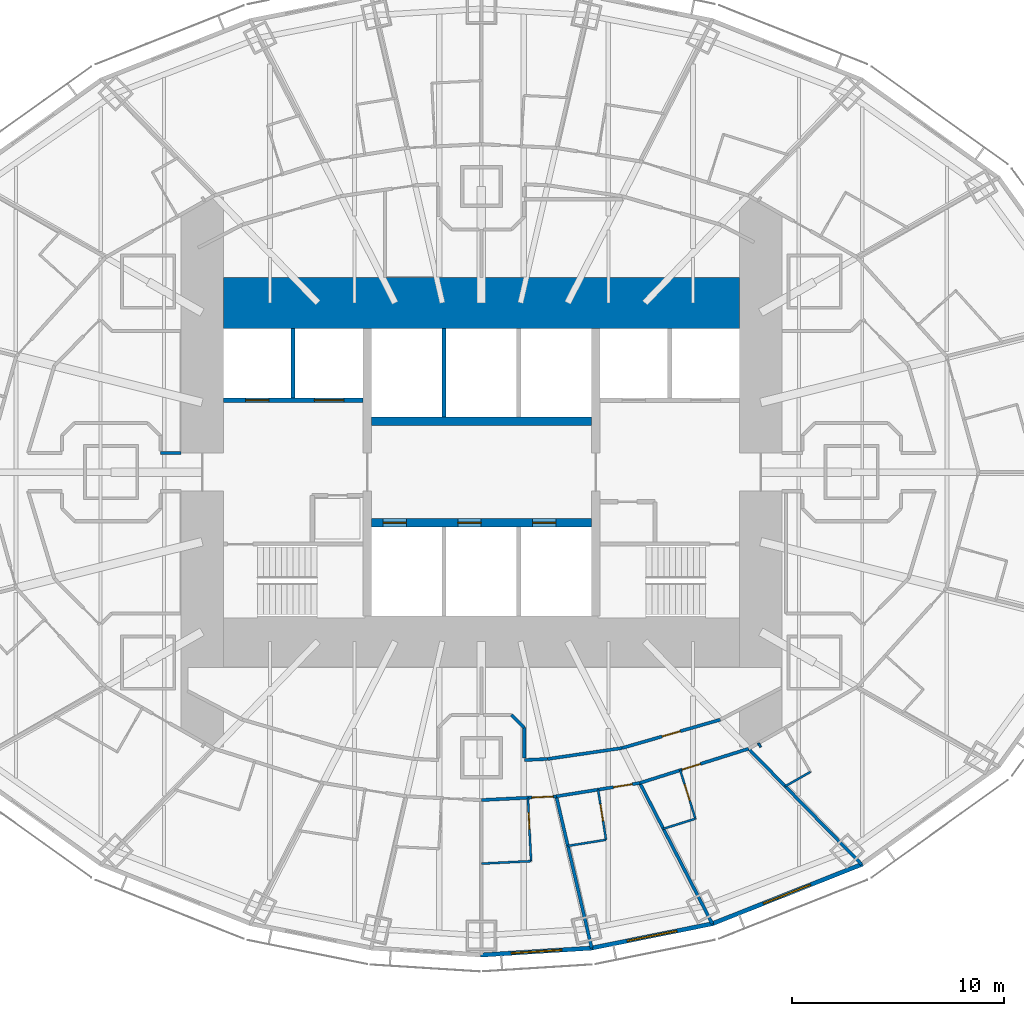
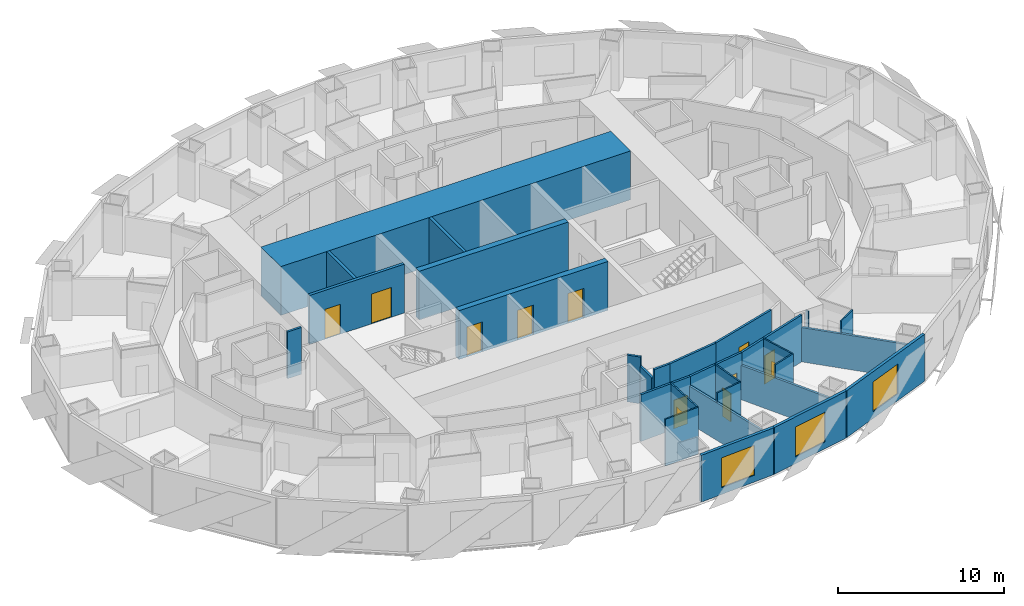
# One storey, part 7 of 17: 29 walls, 12 doors, 3 windows, 15 openings.
"""IFC4 building model written with IfcOpenShell, lengths in metres."""

from ifc_helpers import new_model, si_unit, direction, frame, frame_2d, origin, place, context, subcontext, project, spatial, rectangle, extrude, material, layer, layer_set, type_object, element, fill, save


model = new_model("IFC4")

# Units and contexts
model_context = context("Model", 3, precision=1e-05, world=origin(), true_north=direction((0.0, 1.0)))
body_context = subcontext(model_context, "Body", "Model", "MODEL_VIEW")
ifc_project = project(units=[si_unit("LENGTHUNIT", "METRE"), si_unit("AREAUNIT", "SQUARE_METRE"), si_unit("VOLUMEUNIT", "CUBIC_METRE"), si_unit("PLANEANGLEUNIT", "RADIAN"), si_unit("MASSUNIT", "GRAM", prefix="KILO")], contexts=[model_context])

# Site, building, storey
site_placement = place(None, origin())
site = spatial("IfcSite", under=ifc_project, at=site_placement, CompositionType="ELEMENT")
building_placement = place(site_placement, origin())
building = spatial("IfcBuilding", under=site, at=building_placement, Name="Lantaw Convention Tower", CompositionType="ELEMENT")
storey_placement = place(building_placement, frame((0.0, 0.0, 40.60009765625)))
storey = spatial("IfcBuildingStorey", under=building, at=storey_placement, Name="L07", CompositionType="ELEMENT", Elevation=40.60009765625)

# Walls
ifc_material_1 = material(Name="Gypsum board on steel studs", Category="steel")
ifc_layer_1 = layer(ifc_material_1, 0.14990234375)
ifc_layer_set_1 = layer_set([ifc_layer_1], Name="Back of house wall 150")
wall_type_1 = type_object("IfcWallType", Name="Back of house wall 150", PredefinedType="PARTITIONING", material=ifc_layer_set_1)
wall_1_placement = place(storey_placement, frame((1.424560546875, -11.47509765625, 0.0), z_axis=(0.0, 0.0, 1.0), x_axis=(0.707106781187, -0.707106781187, 0.0)))
element("IfcWall", 1, at=wall_1_placement, inside=storey, type_object=wall_type_1, Name="Back of house wall 150", PredefinedType="PARTITIONING", context=body_context, shape_type="SweptSolid", body=[
    extrude(rectangle(XDim=0.84912109375, YDim=0.14990234375, at=frame_2d((0.424560546875, 0.0))), origin(), (0.0, 0.0, 1.0), 3.449951171875),
])
wall_2_placement = place(storey_placement, frame((2.02490234375, -12.075439453125, 0.0), z_axis=(0.0, 0.0, 1.0), x_axis=(0.0, -1.0, 0.0)))
element("IfcWall", 2, at=wall_2_placement, inside=storey, type_object=wall_type_1, Name="Back of house wall 150", PredefinedType="PARTITIONING", context=body_context, shape_type="SweptSolid", body=[
    extrude(rectangle(XDim=1.42724609375, YDim=0.14990234375, at=frame_2d((0.713623046875, 0.0))), origin(), (0.0, 0.0, 1.0), 2.748779296875),
])

# Wall, opening, door
ifc_material_2 = material(Name="Moisture resistant gypsum board on steel studs", Category="steel")
ifc_layer_2 = layer(ifc_material_2, 0.10009765625)
ifc_layer_set_2 = layer_set([ifc_layer_2], Name="Bathroom wall 100")
wall_type_2 = type_object("IfcWallType", Name="Bathroom wall 100", PredefinedType="PARTITIONING", material=ifc_layer_set_2)
wall_3_placement = place(storey_placement, frame((2.197265625, -15.390380859375, 0.0), z_axis=(0.0, 0.0, 1.0), x_axis=(0.049888907753, -0.998754773147, 0.0)))
wall_3 = element("IfcWall", 3, at=wall_3_placement, inside=storey, type_object=wall_type_2, Name="Bathroom wall 100", PredefinedType="PARTITIONING", context=body_context, shape_type="SweptSolid", body=[
    extrude(rectangle(XDim=2.999755859375, YDim=0.10009765625, at=frame_2d((1.5, 0.0))), origin(), (0.0, 0.0, 1.0), 3.449951171875),
])
opening_1_placement = place(wall_3_placement, frame((0.699951171875, 0.0, 0.0)))
opening_1 = element("IfcOpeningElement", 4, at=opening_1_placement, cuts=wall_3, Name="Opening L07.60", PredefinedType="OPENING", context=body_context, shape_type="SweptSolid", body=[
    extrude(rectangle(XDim=0.800048828125, YDim=2.10009765625, at=frame_2d((0.39990234375, 1.050048828125))), frame((0.0, 0.06005859375, 0.0), z_axis=(0.0, -1.0, 0.0), x_axis=(1.0, 0.0, 0.0)), (0.0, 0.0, 1.0), 0.1201171875),
])
ifc_material_3 = material(Name="Timber", Category="wood")
door_type_1 = type_object("IfcDoorType", Name="Bathroom door 800", OperationType="SINGLE_SWING_LEFT", PredefinedType="DOOR", material=ifc_material_3)
door_1_placement = place(opening_1_placement, origin())
door_1 = element("IfcDoor", 5, at=door_1_placement, inside=storey, type_object=door_type_1, Name="Bathroom door", OperationType="SINGLE_SWING_LEFT", OverallHeight=2.10009765625, OverallWidth=0.800048828125, PredefinedType="DOOR", context=body_context, shape_type="SweptSolid", body=[
    extrude(rectangle(XDim=0.800048828125, YDim=2.10009765625, at=frame_2d((0.39990234375, 1.050048828125))), frame((0.0, 0.02490234375, 0.0), z_axis=(0.0, -1.0, 0.0), x_axis=(1.0, 0.0, 0.0)), (0.0, 0.0, 1.0), 0.050048828125),
])
fill(opening_1, door_1)

# Wall
wall_4_placement = place(storey_placement, frame((2.346923828125, -18.386474609375, 0.0), z_axis=(0.0, 0.0, 1.0), x_axis=(-0.998755704817, -0.049870252607, 0.0)))
element("IfcWall", 6, at=wall_4_placement, inside=storey, type_object=wall_type_2, Name="Bathroom wall 100", PredefinedType="PARTITIONING", context=body_context, shape_type="SweptSolid", body=[
    extrude(rectangle(XDim=2.349853515625, YDim=0.10009765625, at=frame_2d((1.1748046875, 0.0))), origin(), (0.0, 0.0, 1.0), 3.449951171875),
])

# Wall, opening, door
wall_5_placement = place(storey_placement, frame((5.5126953125, -15.0078125, 0.0), z_axis=(0.0, 0.0, 1.0), x_axis=(0.157780217218, -0.987474254376, 0.0)))
wall_5 = element("IfcWall", 7, at=wall_5_placement, inside=storey, type_object=wall_type_2, Name="Bathroom wall 100", PredefinedType="PARTITIONING", context=body_context, shape_type="SweptSolid", body=[
    extrude(rectangle(XDim=2.39990234375, YDim=0.10009765625, at=frame_2d((1.199951171875, 0.0))), origin(), (0.0, 0.0, 1.0), 3.449951171875),
])
opening_2_placement = place(wall_5_placement, frame((0.699951171875, 0.0, 0.0)))
opening_2 = element("IfcOpeningElement", 8, at=opening_2_placement, cuts=wall_5, Name="Opening L07.62", PredefinedType="OPENING", context=body_context, shape_type="SweptSolid", body=[
    extrude(rectangle(XDim=0.800048828125, YDim=2.10009765625, at=frame_2d((0.39990234375, 1.050048828125))), frame((0.0, 0.06005859375, 0.0), z_axis=(0.0, -1.0, 0.0), x_axis=(1.0, 0.0, 0.0)), (0.0, 0.0, 1.0), 0.1201171875),
])
door_2_placement = place(opening_2_placement, origin())
door_2 = element("IfcDoor", 9, at=door_2_placement, inside=storey, type_object=door_type_1, Name="Bathroom door", OperationType="SINGLE_SWING_LEFT", OverallHeight=2.10009765625, OverallWidth=0.800048828125, PredefinedType="DOOR", context=body_context, shape_type="SweptSolid", body=[
    extrude(rectangle(XDim=0.800048828125, YDim=2.10009765625, at=frame_2d((0.39990234375, 1.050048828125))), frame((0.0, 0.02490234375, 0.0), z_axis=(0.0, -1.0, 0.0), x_axis=(1.0, 0.0, 0.0)), (0.0, 0.0, 1.0), 0.050048828125),
])
fill(opening_2, door_2)

# Wall
wall_6_placement = place(storey_placement, frame((5.891357421875, -17.377685546875, 0.0), z_axis=(0.0, 0.0, 1.0), x_axis=(-0.987478784284, -0.157751863976, 0.0)))
element("IfcWall", 10, at=wall_6_placement, inside=storey, type_object=wall_type_2, Name="Bathroom wall 100", PredefinedType="PARTITIONING", context=body_context, shape_type="SweptSolid", body=[
    extrude(rectangle(XDim=1.83544921875, YDim=0.10009765625, at=frame_2d((0.917724609375, 0.0))), origin(), (0.0, 0.0, 1.0), 3.449951171875),
])

# Wall, opening, door
wall_7_placement = place(storey_placement, frame((9.393798828125, -14.09130859375, 0.0), z_axis=(0.0, 0.0, 1.0), x_axis=(0.30049839721, -0.953782319649, 0.0)))
wall_7 = element("IfcWall", 11, at=wall_7_placement, inside=storey, type_object=wall_type_2, Name="Bathroom wall 100", PredefinedType="PARTITIONING", context=body_context, shape_type="SweptSolid", body=[
    extrude(rectangle(XDim=2.39990234375, YDim=0.10009765625, at=frame_2d((1.199951171875, 0.0))), origin(), (0.0, 0.0, 1.0), 3.449951171875),
])
opening_3_placement = place(wall_7_placement, frame((0.699951171875, 0.0, 0.0)))
opening_3 = element("IfcOpeningElement", 12, at=opening_3_placement, cuts=wall_7, Name="Opening L07.64", PredefinedType="OPENING", context=body_context, shape_type="SweptSolid", body=[
    extrude(rectangle(XDim=0.800048828125, YDim=2.10009765625, at=frame_2d((0.39990234375, 1.050048828125))), frame((0.0, 0.06005859375, 0.0), z_axis=(0.0, -1.0, 0.0), x_axis=(1.0, 0.0, 0.0)), (0.0, 0.0, 1.0), 0.1201171875),
])
door_3_placement = place(opening_3_placement, origin())
door_3 = element("IfcDoor", 13, at=door_3_placement, inside=storey, type_object=door_type_1, Name="Bathroom door", OperationType="SINGLE_SWING_LEFT", OverallHeight=2.10009765625, OverallWidth=0.800048828125, PredefinedType="DOOR", context=body_context, shape_type="SweptSolid", body=[
    extrude(rectangle(XDim=0.800048828125, YDim=2.10009765625, at=frame_2d((0.39990234375, 1.050048828125))), frame((0.0, 0.02490234375, 0.0), z_axis=(0.0, -1.0, 0.0), x_axis=(1.0, 0.0, 0.0)), (0.0, 0.0, 1.0), 0.050048828125),
])
fill(opening_3, door_3)

# Walls
wall_8_placement = place(storey_placement, frame((10.114990234375, -16.38037109375, 0.0), z_axis=(0.0, 0.0, 1.0), x_axis=(-0.953764923986, -0.300553605492, 0.0)))
element("IfcWall", 14, at=wall_8_placement, inside=storey, type_object=wall_type_2, Name="Bathroom wall 100", PredefinedType="PARTITIONING", context=body_context, shape_type="SweptSolid", body=[
    extrude(rectangle(XDim=1.597900390625, YDim=0.10009765625, at=frame_2d((0.798828125, 0.0))), origin(), (0.0, 0.0, 1.0), 3.449951171875),
])
wall_9_placement = place(storey_placement, frame((15.550048828125, -14.169677734375, 0.0), z_axis=(0.0, 0.0, 1.0), x_axis=(-0.869065896633, -0.494696338485, 0.0)))
element("IfcWall", 15, at=wall_9_placement, inside=storey, type_object=wall_type_2, Name="Bathroom wall 100", PredefinedType="PARTITIONING", context=body_context, shape_type="SweptSolid", body=[
    extrude(rectangle(XDim=1.3857421875, YDim=0.10009765625, at=frame_2d((0.69287109375, 0.0))), origin(), (0.0, 0.0, 1.0), 3.449951171875),
])
ifc_material_4 = material(Name="Concrete C60/75", Category="concrete")
ifc_layer_3 = layer(ifc_material_4, 2.39990234375)
ifc_layer_set_3 = layer_set([ifc_layer_3], Name="Core wall 2400")
wall_type_3 = type_object("IfcWallType", Name="Core wall 2400", PredefinedType="SHEAR", material=ifc_layer_set_3)
wall_10_placement = place(storey_placement, frame((12.199951171875, 8.0, 0.0), z_axis=(0.0, 0.0, 1.0), x_axis=(-1.0, 0.0, 0.0)))
element("IfcWall", 16, at=wall_10_placement, inside=storey, type_object=wall_type_3, Name="Core wall N", PredefinedType="SHEAR", context=body_context, shape_type="SweptSolid", body=[
    extrude(rectangle(XDim=24.39990234375, YDim=2.39990234375, at=frame_2d((12.199951171875, 0.0))), origin(), (0.0, 0.0, 1.0), 3.599853515625),
])

# Wall, openings, doors
ifc_layer_4 = layer(ifc_material_4, 0.39990234375)
ifc_layer_set_4 = layer_set([ifc_layer_4], Name="Core wall 400")
wall_type_4 = type_object("IfcWallType", Name="Core wall 400", PredefinedType="SHEAR", material=ifc_layer_set_4)
wall_11_placement = place(storey_placement, frame((-5.199951171875, -2.39990234375, 0.0), z_axis=(0.0, 0.0, 1.0), x_axis=(1.0, 0.0, 0.0)))
wall_11 = element("IfcWall", 17, at=wall_11_placement, inside=storey, type_object=wall_type_4, Name="Core wall BS", PredefinedType="SHEAR", context=body_context, shape_type="SweptSolid", body=[
    extrude(rectangle(XDim=10.39990234375, YDim=0.39990234375, at=frame_2d((5.199951171875, 0.0))), origin(), (0.0, 0.0, 1.0), 3.599853515625),
])
opening_4_placement = place(wall_11_placement, frame((0.550048828125, 0.0, 0.0)))
opening_4 = element("IfcOpeningElement", 18, at=opening_4_placement, cuts=wall_11, Name="Opening L07.09", PredefinedType="OPENING", context=body_context, shape_type="SweptSolid", body=[
    extrude(rectangle(XDim=1.10009765625, YDim=2.199951171875, at=frame_2d((0.550048828125, 1.10009765625))), frame((0.0, 0.2099609375, 0.0), z_axis=(0.0, -1.0, 0.0), x_axis=(1.0, 0.0, 0.0)), (0.0, 0.0, 1.0), 0.419921875),
])
opening_5_placement = place(wall_11_placement, frame((4.083251953125, 0.0, 0.0)))
opening_5 = element("IfcOpeningElement", 19, at=opening_5_placement, cuts=wall_11, Name="Opening L07.10", PredefinedType="OPENING", context=body_context, shape_type="SweptSolid", body=[
    extrude(rectangle(XDim=1.10009765625, YDim=2.199951171875, at=frame_2d((0.550048828125, 1.10009765625))), frame((0.0, 0.2099609375, 0.0), z_axis=(0.0, -1.0, 0.0), x_axis=(1.0, 0.0, 0.0)), (0.0, 0.0, 1.0), 0.419921875),
])
opening_6_placement = place(wall_11_placement, frame((7.61669921875, 0.0, 0.0)))
opening_6 = element("IfcOpeningElement", 20, at=opening_6_placement, cuts=wall_11, Name="Opening L07.11", PredefinedType="OPENING", context=body_context, shape_type="SweptSolid", body=[
    extrude(rectangle(XDim=1.10009765625, YDim=2.199951171875, at=frame_2d((0.550048828125, 1.10009765625))), frame((0.0, 0.2099609375, 0.0), z_axis=(0.0, -1.0, 0.0), x_axis=(1.0, 0.0, 0.0)), (0.0, 0.0, 1.0), 0.419921875),
])
ifc_material_5 = material(Name="Stainless steel", Category="steel")
door_type_2 = type_object("IfcDoorType", Name="Lift landing door 1100", OperationType="DOUBLE_DOOR_SLIDING", PredefinedType="DOOR", material=ifc_material_5)
door_4_placement = place(opening_4_placement, origin())
door_4 = element("IfcDoor", 21, at=door_4_placement, inside=storey, type_object=door_type_2, Name="Lift landing door H1", OperationType="DOUBLE_DOOR_SLIDING", OverallHeight=2.199951171875, OverallWidth=1.10009765625, PredefinedType="DOOR", context=body_context, shape_type="SweptSolid", body=[
    extrude(rectangle(XDim=1.10009765625, YDim=2.199951171875, at=frame_2d((0.550048828125, 1.10009765625))), frame((0.0, 0.02490234375, 0.0), z_axis=(0.0, -1.0, 0.0), x_axis=(1.0, 0.0, 0.0)), (0.0, 0.0, 1.0), 0.050048828125),
])
fill(opening_4, door_4)
door_5_placement = place(opening_5_placement, origin())
door_5 = element("IfcDoor", 22, at=door_5_placement, inside=storey, type_object=door_type_2, Name="Lift landing door H2", OperationType="DOUBLE_DOOR_SLIDING", OverallHeight=2.199951171875, OverallWidth=1.10009765625, PredefinedType="DOOR", context=body_context, shape_type="SweptSolid", body=[
    extrude(rectangle(XDim=1.10009765625, YDim=2.199951171875, at=frame_2d((0.550048828125, 1.10009765625))), frame((0.0, 0.02490234375, 0.0), z_axis=(0.0, -1.0, 0.0), x_axis=(1.0, 0.0, 0.0)), (0.0, 0.0, 1.0), 0.050048828125),
])
fill(opening_5, door_5)
door_6_placement = place(opening_6_placement, origin())
door_6 = element("IfcDoor", 23, at=door_6_placement, inside=storey, type_object=door_type_2, Name="Lift landing door H3", OperationType="DOUBLE_DOOR_SLIDING", OverallHeight=2.199951171875, OverallWidth=1.10009765625, PredefinedType="DOOR", context=body_context, shape_type="SweptSolid", body=[
    extrude(rectangle(XDim=1.10009765625, YDim=2.199951171875, at=frame_2d((0.550048828125, 1.10009765625))), frame((0.0, 0.02490234375, 0.0), z_axis=(0.0, -1.0, 0.0), x_axis=(1.0, 0.0, 0.0)), (0.0, 0.0, 1.0), 0.050048828125),
])
fill(opening_6, door_6)

# Wall
wall_12_placement = place(storey_placement, frame((5.199951171875, 2.39990234375, 0.0), z_axis=(0.0, 0.0, 1.0), x_axis=(-1.0, 0.0, 0.0)))
element("IfcWall", 24, at=wall_12_placement, inside=storey, type_object=wall_type_4, Name="Core wall BN", PredefinedType="SHEAR", context=body_context, shape_type="SweptSolid", body=[
    extrude(rectangle(XDim=10.39990234375, YDim=0.39990234375, at=frame_2d((5.199951171875, 0.0))), origin(), (0.0, 0.0, 1.0), 3.599853515625),
])

# Wall, opening, door
ifc_material_6 = material(Name="Gypsum board on steel studs, fire rated", Category="steel")
ifc_layer_5 = layer(ifc_material_6, 0.14990234375)
ifc_layer_set_5 = layer_set([ifc_layer_5], Name="Corridor wall 150 EI 60")
wall_type_5 = type_object("IfcWallType", Name="Corridor wall 150 EI 60", PredefinedType="PARTITIONING", material=ifc_layer_set_5)
wall_13_placement = place(storey_placement, frame((0.0, -15.5, 0.0), z_axis=(0.0, 0.0, 1.0), x_axis=(0.998754057167, 0.049903239295, 0.0)))
wall_13 = element("IfcWall", 25, at=wall_13_placement, inside=storey, type_object=wall_type_5, Name="Corridor wall 150", PredefinedType="PARTITIONING", context=body_context, shape_type="SweptSolid", body=[
    extrude(rectangle(XDim=3.5419921875, YDim=0.14990234375, at=frame_2d((1.77099609375, 0.0))), origin(), (0.0, 0.0, 1.0), 3.449951171875),
])
opening_7_placement = place(wall_13_placement, frame((2.39208984375, 0.0, 0.0)))
opening_7 = element("IfcOpeningElement", 26, at=opening_7_placement, cuts=wall_13, Name="Opening L07.61", PredefinedType="OPENING", context=body_context, shape_type="SweptSolid", body=[
    extrude(rectangle(XDim=1.0, YDim=2.10009765625, at=frame_2d((0.5, 1.050048828125))), frame((0.0, 0.0849609375, 0.0), z_axis=(0.0, -1.0, 0.0), x_axis=(1.0, 0.0, 0.0)), (0.0, 0.0, 1.0), 0.169921875),
])
ifc_material_7 = material(Name="Steel, fire rated", Category="steel")
door_type_3 = type_object("IfcDoorType", Name="Accessible room entrance door FD30S", OperationType="SINGLE_SWING_LEFT", PredefinedType="DOOR", material=ifc_material_7)
door_7_placement = place(opening_7_placement, origin())
door_7 = element("IfcDoor", 27, at=door_7_placement, inside=storey, type_object=door_type_3, Name="Guest room entrance door", OperationType="SINGLE_SWING_LEFT", OverallHeight=2.10009765625, OverallWidth=1.0, PredefinedType="DOOR", context=body_context, shape_type="SweptSolid", body=[
    extrude(rectangle(XDim=1.0, YDim=2.10009765625, at=frame_2d((0.5, 1.050048828125))), frame((0.0, 0.02490234375, 0.0), z_axis=(0.0, -1.0, 0.0), x_axis=(1.0, 0.0, 0.0)), (0.0, 0.0, 1.0), 0.050048828125),
])
fill(opening_7, door_7)

wall_14_placement = place(storey_placement, frame((3.53759765625, -15.3232421875, 0.0), z_axis=(0.0, 0.0, 1.0), x_axis=(0.987475660646, 0.157771415761, 0.0)))
wall_14 = element("IfcWall", 28, at=wall_14_placement, inside=storey, type_object=wall_type_5, Name="Corridor wall 150", PredefinedType="PARTITIONING", context=body_context, shape_type="SweptSolid", body=[
    extrude(rectangle(XDim=3.99853515625, YDim=0.14990234375, at=frame_2d((1.999267578125, 0.0))), origin(), (0.0, 0.0, 1.0), 3.449951171875),
])
opening_8_placement = place(wall_14_placement, frame((2.736328125, 0.0, 0.0)))
opening_8 = element("IfcOpeningElement", 29, at=opening_8_placement, cuts=wall_14, Name="Opening L07.63", PredefinedType="OPENING", context=body_context, shape_type="SweptSolid", body=[
    extrude(rectangle(XDim=0.89990234375, YDim=2.10009765625, at=frame_2d((0.449951171875, 1.050048828125))), frame((0.0, 0.0849609375, 0.0), z_axis=(0.0, -1.0, 0.0), x_axis=(1.0, 0.0, 0.0)), (0.0, 0.0, 1.0), 0.169921875),
])
door_type_4 = type_object("IfcDoorType", Name="Guest room entrance door FD30S", OperationType="SINGLE_SWING_LEFT", PredefinedType="DOOR", material=ifc_material_7)
door_8_placement = place(opening_8_placement, origin())
door_8 = element("IfcDoor", 30, at=door_8_placement, inside=storey, type_object=door_type_4, Name="Guest room entrance door", OperationType="SINGLE_SWING_LEFT", OverallHeight=2.10009765625, OverallWidth=0.89990234375, PredefinedType="DOOR", context=body_context, shape_type="SweptSolid", body=[
    extrude(rectangle(XDim=0.89990234375, YDim=2.10009765625, at=frame_2d((0.449951171875, 1.050048828125))), frame((0.0, 0.02490234375, 0.0), z_axis=(0.0, -1.0, 0.0), x_axis=(1.0, 0.0, 0.0)), (0.0, 0.0, 1.0), 0.050048828125),
])
fill(opening_8, door_8)

wall_15_placement = place(storey_placement, frame((7.486083984375, -14.6923828125, 0.0), z_axis=(0.0, 0.0, 1.0), x_axis=(0.953774229808, 0.30052407317, 0.0)))
wall_15 = element("IfcWall", 31, at=wall_15_placement, inside=storey, type_object=wall_type_5, Name="Corridor wall 150", PredefinedType="PARTITIONING", context=body_context, shape_type="SweptSolid", body=[
    extrude(rectangle(XDim=5.3876953125, YDim=0.14990234375, at=frame_2d((2.69384765625, 0.0))), origin(), (0.0, 0.0, 1.0), 3.449951171875),
])
opening_9_placement = place(wall_15_placement, frame((2.10009765625, 0.0, 0.0)))
opening_9 = element("IfcOpeningElement", 32, at=opening_9_placement, cuts=wall_15, Name="Opening L07.65", PredefinedType="OPENING", context=body_context, shape_type="SweptSolid", body=[
    extrude(rectangle(XDim=0.89990234375, YDim=2.10009765625, at=frame_2d((0.449951171875, 1.050048828125))), frame((0.0, 0.0849609375, 0.0), z_axis=(0.0, -1.0, 0.0), x_axis=(1.0, 0.0, 0.0)), (0.0, 0.0, 1.0), 0.169921875),
])
door_9_placement = place(opening_9_placement, origin())
door_9 = element("IfcDoor", 33, at=door_9_placement, inside=storey, type_object=door_type_4, Name="Guest room entrance door", OperationType="SINGLE_SWING_LEFT", OverallHeight=2.10009765625, OverallWidth=0.89990234375, PredefinedType="DOOR", context=body_context, shape_type="SweptSolid", body=[
    extrude(rectangle(XDim=0.89990234375, YDim=2.10009765625, at=frame_2d((0.449951171875, 1.050048828125))), frame((0.0, 0.02490234375, 0.0), z_axis=(0.0, -1.0, 0.0), x_axis=(1.0, 0.0, 0.0)), (0.0, 0.0, 1.0), 0.050048828125),
])
fill(opening_9, door_9)

# Wall
wall_16_placement = place(storey_placement, frame((3.1298828125, -13.556640625, 0.0), z_axis=(0.0, 0.0, 1.0), x_axis=(0.989443047021, 0.14492224364, 0.0)))
element("IfcWall", 34, at=wall_16_placement, inside=storey, type_object=wall_type_5, Name="Corridor wall 150", PredefinedType="PARTITIONING", context=body_context, shape_type="SweptSolid", body=[
    extrude(rectangle(XDim=3.552978515625, YDim=0.14990234375, at=frame_2d((1.7763671875, 0.0))), origin(), (0.0, 0.0, 1.0), 3.449951171875),
])

# Wall, opening, door
wall_17_placement = place(storey_placement, frame((6.645263671875, -13.041748046875, 0.0), z_axis=(0.0, 0.0, 1.0), x_axis=(0.960678318068, 0.277663770041, 0.0)))
wall_17 = element("IfcWall", 35, at=wall_17_placement, inside=storey, type_object=wall_type_5, Name="Corridor wall 150", PredefinedType="PARTITIONING", context=body_context, shape_type="SweptSolid", body=[
    extrude(rectangle(XDim=4.84130859375, YDim=0.14990234375, at=frame_2d((2.420654296875, 0.0))), origin(), (0.0, 0.0, 1.0), 3.449951171875),
])
opening_10_placement = place(wall_17_placement, frame((1.970703125, 0.0, 0.0)))
opening_10 = element("IfcOpeningElement", 36, at=opening_10_placement, cuts=wall_17, Name="Opening L07.23", PredefinedType="OPENING", context=body_context, shape_type="SweptSolid", body=[
    extrude(rectangle(XDim=0.89990234375, YDim=2.10009765625, at=frame_2d((0.449951171875, 1.050048828125))), frame((0.0, 0.0849609375, 0.0), z_axis=(0.0, -1.0, 0.0), x_axis=(1.0, 0.0, 0.0)), (0.0, 0.0, 1.0), 0.169921875),
])
door_type_5 = type_object("IfcDoorType", Name="Service door 900 FD30", OperationType="SINGLE_SWING_LEFT", PredefinedType="DOOR", material=ifc_material_7)
door_10_placement = place(opening_10_placement, origin())
door_10 = element("IfcDoor", 37, at=door_10_placement, inside=storey, type_object=door_type_5, Name="Guest ice and vending room door", OperationType="SINGLE_SWING_LEFT", OverallHeight=2.10009765625, OverallWidth=0.89990234375, PredefinedType="DOOR", context=body_context, shape_type="SweptSolid", body=[
    extrude(rectangle(XDim=0.89990234375, YDim=2.10009765625, at=frame_2d((0.449951171875, 1.050048828125))), frame((0.0, 0.02490234375, 0.0), z_axis=(0.0, -1.0, 0.0), x_axis=(1.0, 0.0, 0.0)), (0.0, 0.0, 1.0), 0.050048828125),
])
fill(opening_10, door_10)

# Walls
wall_18_placement = place(storey_placement, frame((-14.199951171875, 0.89990234375, 0.0), z_axis=(0.0, 0.0, 1.0), x_axis=(-1.0, 0.0, 0.0)))
element("IfcWall", 38, at=wall_18_placement, inside=storey, type_object=wall_type_5, Name="Corridor wall 150", PredefinedType="PARTITIONING", context=body_context, shape_type="SweptSolid", body=[
    extrude(rectangle(XDim=0.965087890625, YDim=0.14990234375, at=frame_2d((0.482421875, 0.0))), origin(), (0.0, 0.0, 1.0), 3.449951171875),
])
wall_19_placement = place(storey_placement, frame((2.034912109375, -13.60693359375, 0.0), z_axis=(0.0, 0.0, 1.0), x_axis=(0.998946843147, 0.045882508292, 0.0)))
element("IfcWall", 39, at=wall_19_placement, inside=storey, type_object=wall_type_5, Name="Corridor wall 150", PredefinedType="PARTITIONING", context=body_context, shape_type="SweptSolid", body=[
    extrude(rectangle(XDim=1.09619140625, YDim=0.14990234375, at=frame_2d((0.548095703125, 0.0))), origin(), (0.0, 0.0, 1.0), 3.449951171875),
])

# Wall, opening, window
ifc_material_8 = material(Name="Insulated aluminium panel on steel frame", Category="steel")
ifc_layer_6 = layer(ifc_material_8, 0.199951171875)
ifc_layer_set_6 = layer_set([ifc_layer_6], Name="External wall 200")
wall_type_6 = type_object("IfcWallType", Name="External wall 200", PredefinedType="SOLIDWALL", material=ifc_layer_set_6)
wall_20_placement = place(storey_placement, frame((-0.041015625, -22.8271484375, 0.0), z_axis=(0.0, 0.0, 1.0), x_axis=(0.998018582375, 0.062919863585, 0.0)))
wall_20 = element("IfcWall", 40, at=wall_20_placement, inside=storey, type_object=wall_type_6, Name="Facade panel wall", PredefinedType="SOLIDWALL", context=body_context, shape_type="SweptSolid", body=[
    extrude(rectangle(XDim=5.30419921875, YDim=0.199951171875, at=frame_2d((2.652099609375, 0.0))), origin(), (0.0, 0.0, 1.0), 3.449951171875),
])
opening_11_placement = place(wall_20_placement, frame((1.4521484375, 0.0, 0.5)))
opening_11 = element("IfcOpeningElement", 41, at=opening_11_placement, cuts=wall_20, Name="Opening W1", PredefinedType="OPENING", context=body_context, shape_type="SweptSolid", body=[
    extrude(rectangle(XDim=2.39990234375, YDim=2.199951171875, at=frame_2d((1.199951171875, 1.10009765625))), frame((0.0, 0.10986328125, 0.0), z_axis=(0.0, -1.0, 0.0), x_axis=(1.0, 0.0, 0.0)), (0.0, 0.0, 1.0), 0.219970703125),
])
ifc_material_9 = material(Name="Aluminium frame, clear insulating glass", Category="aluminium")
window_type = type_object("IfcWindowType", Name="Guest room window 2400x2200", PartitioningType="SINGLE_PANEL", PredefinedType="WINDOW", material=ifc_material_9)
window_1_placement = place(opening_11_placement, origin())
window_1 = element("IfcWindow", 42, at=window_1_placement, inside=storey, type_object=window_type, Name="Guest room window", OverallHeight=2.199951171875, OverallWidth=2.39990234375, PartitioningType="SINGLE_PANEL", PredefinedType="WINDOW", context=body_context, shape_type="SweptSolid", body=[
    extrude(rectangle(XDim=2.39990234375, YDim=2.199951171875, at=frame_2d((1.199951171875, 1.10009765625))), frame((0.0, 0.030029296875, 0.0), z_axis=(0.0, -1.0, 0.0), x_axis=(1.0, 0.0, 0.0)), (0.0, 0.0, 1.0), 0.06005859375),
])
fill(opening_11, window_1)

wall_21_placement = place(storey_placement, frame((5.169677734375, -22.504150390625, 0.0), z_axis=(0.0, 0.0, 1.0), x_axis=(0.980251657452, 0.197754110105, 0.0)))
wall_21 = element("IfcWall", 43, at=wall_21_placement, inside=storey, type_object=wall_type_6, Name="Facade panel wall", PredefinedType="SOLIDWALL", context=body_context, shape_type="SweptSolid", body=[
    extrude(rectangle(XDim=5.90380859375, YDim=0.199951171875, at=frame_2d((2.951904296875, 0.0))), origin(), (0.0, 0.0, 1.0), 3.449951171875),
])
opening_12_placement = place(wall_21_placement, frame((1.751708984375, 0.0, 0.5)))
opening_12 = element("IfcOpeningElement", 44, at=opening_12_placement, cuts=wall_21, Name="Opening W1", PredefinedType="OPENING", context=body_context, shape_type="SweptSolid", body=[
    extrude(rectangle(XDim=2.39990234375, YDim=2.199951171875, at=frame_2d((1.199951171875, 1.10009765625))), frame((0.0, 0.10986328125, 0.0), z_axis=(0.0, -1.0, 0.0), x_axis=(1.0, 0.0, 0.0)), (0.0, 0.0, 1.0), 0.219970703125),
])
window_2_placement = place(opening_12_placement, origin())
window_2 = element("IfcWindow", 45, at=window_2_placement, inside=storey, type_object=window_type, Name="Guest room window", OverallHeight=2.199951171875, OverallWidth=2.39990234375, PartitioningType="SINGLE_PANEL", PredefinedType="WINDOW", context=body_context, shape_type="SweptSolid", body=[
    extrude(rectangle(XDim=2.39990234375, YDim=2.199951171875, at=frame_2d((1.199951171875, 1.10009765625))), frame((0.0, 0.030029296875, 0.0), z_axis=(0.0, -1.0, 0.0), x_axis=(1.0, 0.0, 0.0)), (0.0, 0.0, 1.0), 0.06005859375),
])
fill(opening_12, window_2)

wall_22_placement = place(storey_placement, frame((10.869384765625, -21.362548828125, 0.0), z_axis=(0.0, 0.0, 1.0), x_axis=(0.929358351251, 0.369178892895, 0.0)))
wall_22 = element("IfcWall", 46, at=wall_22_placement, inside=storey, type_object=wall_type_6, Name="Facade panel wall", PredefinedType="SOLIDWALL", context=body_context, shape_type="SweptSolid", body=[
    extrude(rectangle(XDim=7.6923828125, YDim=0.199951171875, at=frame_2d((3.84619140625, 0.0))), origin(), (0.0, 0.0, 1.0), 3.449951171875),
])
opening_13_placement = place(wall_22_placement, frame((2.64599609375, 0.0, 0.5)))
opening_13 = element("IfcOpeningElement", 47, at=opening_13_placement, cuts=wall_22, Name="Opening W1", PredefinedType="OPENING", context=body_context, shape_type="SweptSolid", body=[
    extrude(rectangle(XDim=2.39990234375, YDim=2.199951171875, at=frame_2d((1.199951171875, 1.10009765625))), frame((0.0, 0.10986328125, 0.0), z_axis=(0.0, -1.0, 0.0), x_axis=(1.0, 0.0, 0.0)), (0.0, 0.0, 1.0), 0.219970703125),
])
window_3_placement = place(opening_13_placement, origin())
window_3 = element("IfcWindow", 48, at=window_3_placement, inside=storey, type_object=window_type, Name="Guest room window", OverallHeight=2.199951171875, OverallWidth=2.39990234375, PartitioningType="SINGLE_PANEL", PredefinedType="WINDOW", context=body_context, shape_type="SweptSolid", body=[
    extrude(rectangle(XDim=2.39990234375, YDim=2.199951171875, at=frame_2d((1.199951171875, 1.10009765625))), frame((0.0, 0.030029296875, 0.0), z_axis=(0.0, -1.0, 0.0), x_axis=(1.0, 0.0, 0.0)), (0.0, 0.0, 1.0), 0.06005859375),
])
fill(opening_13, window_3)

# Walls
ifc_material_10 = material(Name="Gypsum board on steel studs, acoustic", Category="steel")
ifc_layer_7 = layer(ifc_material_10, 0.14990234375)
ifc_layer_set_7 = layer_set([ifc_layer_7], Name="Guest room party wall 150")
wall_type_7 = type_object("IfcWallType", Name="Guest room party wall 150", PredefinedType="PARTITIONING", material=ifc_layer_set_7)
wall_23_placement = place(storey_placement, frame((5.2109375, -22.495849609375, 0.0), z_axis=(0.0, 0.0, 1.0), x_axis=(-0.227195035564, 0.973849277771, 0.0)))
element("IfcWall", 49, at=wall_23_placement, inside=storey, type_object=wall_type_7, Name="Guest room party wall 150", PredefinedType="PARTITIONING", context=body_context, shape_type="SweptSolid", body=[
    extrude(rectangle(XDim=7.365234375, YDim=0.14990234375, at=frame_2d((3.6826171875, 0.0))), origin(), (0.0, 0.0, 1.0), 2.7666015625),
])
wall_24_placement = place(storey_placement, frame((10.911865234375, -21.345703125, 0.0), z_axis=(0.0, 0.0, 1.0), x_axis=(-0.45777845119, 0.889066302154, 0.0)))
element("IfcWall", 50, at=wall_24_placement, inside=storey, type_object=wall_type_7, Name="Guest room party wall 150", PredefinedType="PARTITIONING", context=body_context, shape_type="SweptSolid", body=[
    extrude(rectangle(XDim=7.4833984375, YDim=0.14990234375, at=frame_2d((3.74169921875, 0.0))), origin(), (0.0, 0.0, 1.0), 2.52783203125),
])
wall_25_placement = place(storey_placement, frame((17.970458984375, -18.541748046875, 0.0), z_axis=(0.0, 0.0, 1.0), x_axis=(-0.699032031211, 0.715090357467, 0.0)))
element("IfcWall", 51, at=wall_25_placement, inside=storey, type_object=wall_type_7, Name="Guest room party wall 150", PredefinedType="PARTITIONING", context=body_context, shape_type="SweptSolid", body=[
    extrude(rectangle(XDim=7.647216796875, YDim=0.14990234375, at=frame_2d((3.82373046875, 0.0))), origin(), (0.0, 0.0, 1.0), 2.52783203125),
])
ifc_layer_8 = layer(ifc_material_10, 0.10009765625)
ifc_layer_set_8 = layer_set([ifc_layer_8], Name="Office partition 100")
wall_type_8 = type_object("IfcWallType", Name="Office partition 100", PredefinedType="PARTITIONING", material=ifc_layer_set_8)
wall_26_placement = place(storey_placement, frame((13.199951171875, -13.0, 0.0), z_axis=(0.0, 0.0, 1.0), x_axis=(-0.49435138335, 0.869262164011, 0.0)))
element("IfcWall", 52, at=wall_26_placement, inside=storey, type_object=wall_type_8, Name="Office partition 100", PredefinedType="PARTITIONING", context=body_context, shape_type="SweptSolid", body=[
    extrude(rectangle(XDim=0.220703125, YDim=0.10009765625, at=frame_2d((0.1103515625, 0.0))), origin(), (0.0, 0.0, 1.0), 3.449951171875),
])
ifc_material_11 = material(Name="Concrete blockwork, fire rated", Category="masonry")
ifc_layer_9 = layer(ifc_material_11, 0.199951171875)
ifc_layer_set_9 = layer_set([ifc_layer_9], Name="Shaft wall 200")
wall_type_9 = type_object("IfcWallType", Name="Shaft wall 200", PredefinedType="SOLIDWALL", material=ifc_layer_set_9)
wall_27_placement = place(storey_placement, frame((-1.7666015625, 2.60009765625, 0.0), z_axis=(0.0, 0.0, 1.0), x_axis=(0.0, 1.0, 0.0)))
element("IfcWall", 53, at=wall_27_placement, inside=storey, type_object=wall_type_9, Name="Shaft wall DN1", PredefinedType="SOLIDWALL", context=body_context, shape_type="SweptSolid", body=[
    extrude(rectangle(XDim=4.199951171875, YDim=0.199951171875, at=frame_2d((2.10009765625, 0.0))), origin(), (0.0, 0.0, 1.0), 3.599853515625),
])

# Wall, openings, doors
wall_28_placement = place(storey_placement, frame((-12.199951171875, 3.39990234375, 0.0), z_axis=(0.0, 0.0, 1.0), x_axis=(1.0, 0.0, 0.0)))
wall_28 = element("IfcWall", 54, at=wall_28_placement, inside=storey, type_object=wall_type_9, Name="Shaft wall WN", PredefinedType="SOLIDWALL", context=body_context, shape_type="SweptSolid", body=[
    extrude(rectangle(XDim=6.599853515625, YDim=0.199951171875, at=frame_2d((3.2998046875, 0.0))), origin(), (0.0, 0.0, 1.0), 3.599853515625),
])
opening_14_placement = place(wall_28_placement, frame((1.050048828125, 0.0, 0.0)))
opening_14 = element("IfcOpeningElement", 55, at=opening_14_placement, cuts=wall_28, Name="Opening L07.12", PredefinedType="OPENING", context=body_context, shape_type="SweptSolid", body=[
    extrude(rectangle(XDim=1.10009765625, YDim=2.199951171875, at=frame_2d((0.550048828125, 1.10009765625))), frame((0.0, 0.10986328125, 0.0), z_axis=(0.0, -1.0, 0.0), x_axis=(1.0, 0.0, 0.0)), (0.0, 0.0, 1.0), 0.219970703125),
])
opening_15_placement = place(wall_28_placement, frame((4.300048828125, 0.0, 0.0)))
opening_15 = element("IfcOpeningElement", 56, at=opening_15_placement, cuts=wall_28, Name="Opening L07.13", PredefinedType="OPENING", context=body_context, shape_type="SweptSolid", body=[
    extrude(rectangle(XDim=1.39990234375, YDim=2.199951171875, at=frame_2d((0.699951171875, 1.10009765625))), frame((0.0, 0.10986328125, 0.0), z_axis=(0.0, -1.0, 0.0), x_axis=(1.0, 0.0, 0.0)), (0.0, 0.0, 1.0), 0.219970703125),
])
door_11_placement = place(opening_14_placement, origin())
door_11 = element("IfcDoor", 57, at=door_11_placement, inside=storey, type_object=door_type_2, Name="Lift landing door FF1", OperationType="DOUBLE_DOOR_SLIDING", OverallHeight=2.199951171875, OverallWidth=1.10009765625, PredefinedType="DOOR", context=body_context, shape_type="SweptSolid", body=[
    extrude(rectangle(XDim=1.10009765625, YDim=2.199951171875, at=frame_2d((0.550048828125, 1.10009765625))), frame((0.0, 0.02490234375, 0.0), z_axis=(0.0, -1.0, 0.0), x_axis=(1.0, 0.0, 0.0)), (0.0, 0.0, 1.0), 0.050048828125),
])
fill(opening_14, door_11)
door_type_6 = type_object("IfcDoorType", Name="Lift landing door 1400", OperationType="DOUBLE_DOOR_SLIDING", PredefinedType="DOOR", material=ifc_material_5)
door_12_placement = place(opening_15_placement, origin())
door_12 = element("IfcDoor", 58, at=door_12_placement, inside=storey, type_object=door_type_6, Name="Lift landing door SV1", OperationType="DOUBLE_DOOR_SLIDING", OverallHeight=2.199951171875, OverallWidth=1.39990234375, PredefinedType="DOOR", context=body_context, shape_type="SweptSolid", body=[
    extrude(rectangle(XDim=1.39990234375, YDim=2.199951171875, at=frame_2d((0.699951171875, 1.10009765625))), frame((0.0, 0.02490234375, 0.0), z_axis=(0.0, -1.0, 0.0), x_axis=(1.0, 0.0, 0.0)), (0.0, 0.0, 1.0), 0.050048828125),
])
fill(opening_15, door_12)

# Wall
wall_29_placement = place(storey_placement, frame((-8.89990234375, 3.5, 0.0), z_axis=(0.0, 0.0, 1.0), x_axis=(0.0, 1.0, 0.0)))
element("IfcWall", 59, at=wall_29_placement, inside=storey, type_object=wall_type_9, Name="Shaft wall WD", PredefinedType="SOLIDWALL", context=body_context, shape_type="SweptSolid", body=[
    extrude(rectangle(XDim=3.300048828125, YDim=0.199951171875, at=frame_2d((1.64990234375, 0.0))), origin(), (0.0, 0.0, 1.0), 3.599853515625),
])

save(model, "model.ifc")
